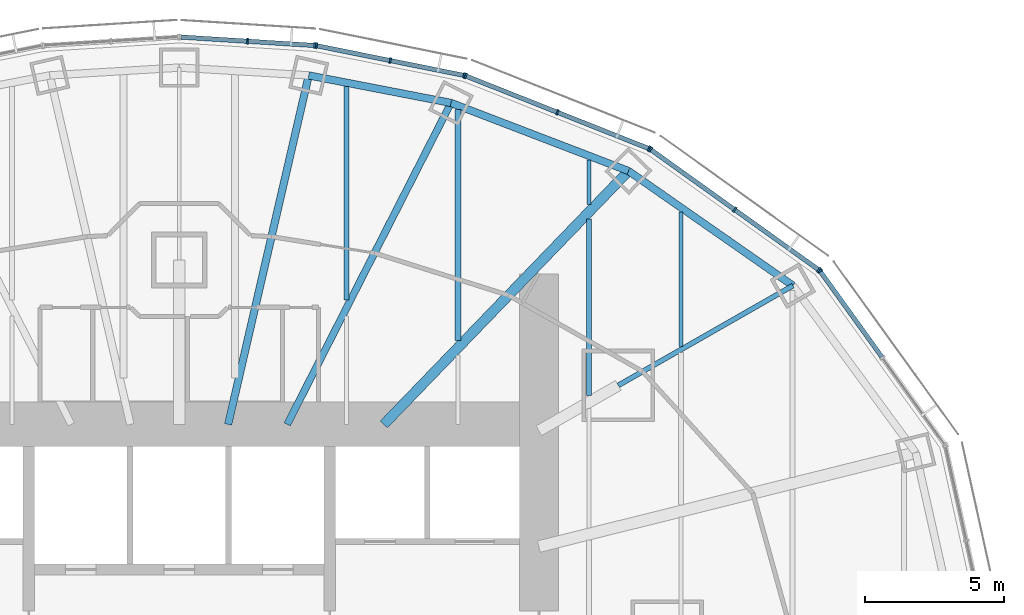
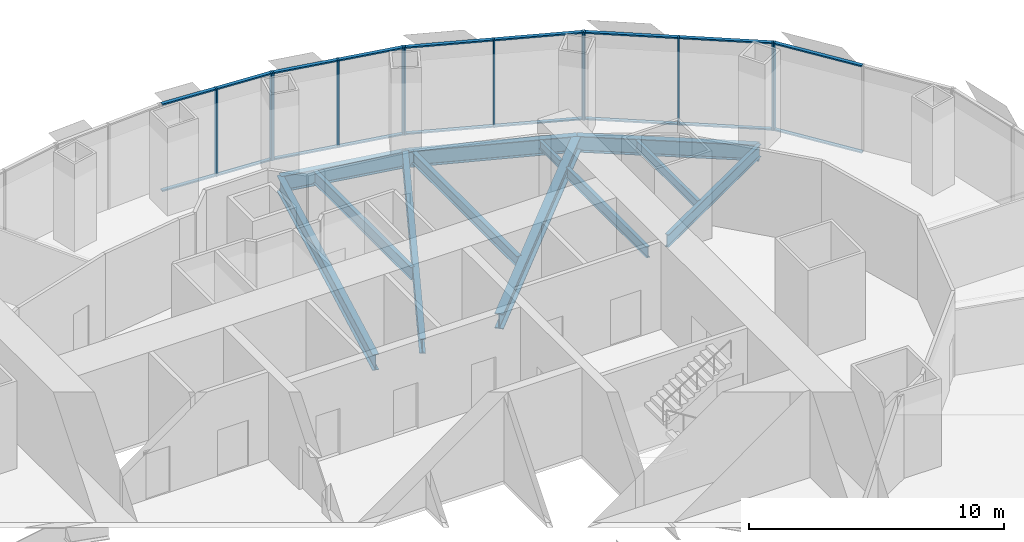
# One storey, part 8 of 17: 30 members, 12 beams, 5 elements without a shape of their own.
"""IFC4 building model written with IfcOpenShell, lengths in metres."""

from ifc_helpers import new_model, si_unit, direction, frame, origin, origin_2d, place, context, subcontext, project, spatial, rectangle, i_section, extrude, material, material_profile, profile_set, type_object, element, aggregate, save


model = new_model("IFC4")

# Units and contexts
model_context = context("Model", 3, precision=1e-05, world=origin(), true_north=direction((0.0, 1.0)))
body_context = subcontext(model_context, "Body", "Model", "MODEL_VIEW")
ifc_project = project(units=[si_unit("LENGTHUNIT", "METRE"), si_unit("AREAUNIT", "SQUARE_METRE"), si_unit("VOLUMEUNIT", "CUBIC_METRE"), si_unit("PLANEANGLEUNIT", "RADIAN"), si_unit("MASSUNIT", "GRAM", prefix="KILO")], contexts=[model_context])

# Site, building, storey
site_placement = place(None, origin())
site = spatial("IfcSite", under=ifc_project, at=site_placement, CompositionType="ELEMENT")
building_placement = place(site_placement, origin())
building = spatial("IfcBuilding", under=site, at=building_placement, Name="Lantaw Convention Tower", CompositionType="ELEMENT")
storey_placement = place(building_placement, frame((0.0, 0.0, 125.800048828125)))
storey = spatial("IfcBuildingStorey", under=building, at=storey_placement, Name="L29", CompositionType="ELEMENT", Elevation=125.800048828125)

# Beams
ifc_material_1 = material(Name="Steel ASTM A992", Category="steel")
ifc_material_profile_1 = material_profile(ifc_material_1, i_section(OverallWidth=0.2666015625, OverallDepth=0.76953125, WebThickness=0.015625, FlangeThickness=0.025390625, FilletRadius=0.0126953125, at=origin_2d()), Name="W30X132")
ifc_profile_set_1 = profile_set([ifc_material_profile_1], Name="Steel ASTM A992")
beam_type_1 = type_object("IfcBeamType", Name="Beam E W30X132", PredefinedType="SPANDREL", material=ifc_profile_set_1)
beam_1_placement = place(storey_placement, frame((22.013916015625, 12.579345703125, -0.534912109375), z_axis=(-0.820310765287, 0.57191804339, 0.0), x_axis=(-0.57191804339, -0.820310765287, 0.0)))
element("IfcBeam", 1, at=beam_1_placement, inside=storey, type_object=beam_type_1, Name="Edge beam 3", PredefinedType="SPANDREL", context=body_context, shape_type="SweptSolid", body=[
    extrude(i_section(OverallWidth=0.2666015625, OverallDepth=0.76953125, WebThickness=0.015625, FlangeThickness=0.025390625, FilletRadius=0.0126953125, at=origin_2d()), origin(), (0.0, 0.0, 1.0), 7.187744140625),
])
beam_2_placement = place(storey_placement, frame((16.11767578125, 16.690185546875, -0.534912109375), z_axis=(-0.933691081977, 0.358079549033, 0.0), x_axis=(-0.358079549033, -0.933691081977, 0.0)))
element("IfcBeam", 2, at=beam_2_placement, inside=storey, type_object=beam_type_1, Name="Edge beam 4", PredefinedType="SPANDREL", context=body_context, shape_type="SweptSolid", body=[
    extrude(i_section(OverallWidth=0.2666015625, OverallDepth=0.76953125, WebThickness=0.015625, FlangeThickness=0.025390625, FilletRadius=0.0126953125, at=origin_2d()), origin(), (0.0, 0.0, 1.0), 6.821533203125),
])
beam_3_placement = place(storey_placement, frame((9.74853515625, 19.1328125, -0.534912109375), z_axis=(-0.981796805654, 0.189934284446, 0.0), x_axis=(-0.189934284446, -0.981796805654, 0.0)))
element("IfcBeam", 3, at=beam_3_placement, inside=storey, type_object=beam_type_1, Name="Edge beam 5", PredefinedType="SPANDREL", context=body_context, shape_type="SweptSolid", body=[
    extrude(i_section(OverallWidth=0.2666015625, OverallDepth=0.76953125, WebThickness=0.015625, FlangeThickness=0.025390625, FilletRadius=0.0126953125, at=origin_2d()), origin(), (0.0, 0.0, 1.0), 5.1982421875),
])
ifc_material_profile_2 = material_profile(ifc_material_1, i_section(OverallWidth=0.177978515625, OverallDepth=0.599365234375, WebThickness=0.010009765625, FlangeThickness=0.012939453125, FilletRadius=0.012939453125, at=origin_2d()), Name="W24X55")
ifc_profile_set_2 = profile_set([ifc_material_profile_2], Name="Steel ASTM A992")
beam_type_2 = type_object("IfcBeamType", Name="Beam G W24X55", PredefinedType="BEAM", material=ifc_profile_set_2)
beam_4_placement = place(storey_placement, frame((15.75, 9.0, -0.44970703125), z_axis=(0.868245224608, 0.496135293993, 0.0), x_axis=(-0.496135293993, 0.868245224608, 0.0)))
element("IfcBeam", 4, at=beam_4_placement, inside=storey, type_object=beam_type_2, Name="Floor girder on ray 3", PredefinedType="BEAM", context=body_context, shape_type="SweptSolid", body=[
    extrude(i_section(OverallWidth=0.177978515625, OverallDepth=0.599365234375, WebThickness=0.010009765625, FlangeThickness=0.012939453125, FilletRadius=0.012939453125, at=origin_2d()), origin(), (0.0, 0.0, 1.0), 7.21435546875),
])
ifc_material_profile_3 = material_profile(ifc_material_1, i_section(OverallWidth=0.25390625, OverallDepth=0.700927734375, WebThickness=0.015380859375, FlangeThickness=0.02783203125, FilletRadius=0.01513671875, at=origin_2d()), Name="W27X129")
ifc_profile_set_3 = profile_set([ifc_material_profile_3], Name="Steel ASTM A992")
beam_type_3 = type_object("IfcBeamType", Name="Beam G W27X129", PredefinedType="BEAM", material=ifc_profile_set_3)
beam_5_placement = place(storey_placement, frame((3.872314453125, 7.60009765625, -0.50048828125), z_axis=(0.453991051051, 0.891006243281, 0.0), x_axis=(-0.891006243281, 0.453991051051, 0.0)))
element("IfcBeam", 5, at=beam_5_placement, inside=storey, type_object=beam_type_3, Name="Floor girder on ray 5", PredefinedType="BEAM", context=body_context, shape_type="SweptSolid", body=[
    extrude(i_section(OverallWidth=0.25390625, OverallDepth=0.700927734375, WebThickness=0.015380859375, FlangeThickness=0.02783203125, FilletRadius=0.01513671875, at=origin_2d()), origin(), (0.0, 0.0, 1.0), 12.943359375),
])
ifc_material_profile_4 = material_profile(ifc_material_1, i_section(OverallWidth=0.360595703125, OverallDepth=0.72900390625, WebThickness=0.023193359375, FlangeThickness=0.041015625, FilletRadius=0.0126953125, at=origin_2d()), Name="W27X235")
ifc_profile_set_4 = profile_set([ifc_material_profile_4], Name="Steel ASTM A992")
beam_type_4 = type_object("IfcBeamType", Name="Beam G W27X235", PredefinedType="BEAM", material=ifc_profile_set_4)
beam_6_placement = place(storey_placement, frame((7.33935546875, 7.60009765625, -0.5146484375), z_axis=(0.694663467407, 0.719334878239, 0.0), x_axis=(-0.719334878239, 0.694663467407, 0.0)))
element("IfcBeam", 6, at=beam_6_placement, inside=storey, type_object=beam_type_4, Name="Floor girder on ray 4", PredefinedType="BEAM", context=body_context, shape_type="SweptSolid", body=[
    extrude(i_section(OverallWidth=0.360595703125, OverallDepth=0.72900390625, WebThickness=0.023193359375, FlangeThickness=0.041015625, FilletRadius=0.0126953125, at=origin_2d()), origin(), (0.0, 0.0, 1.0), 12.63671875),
])
ifc_material_profile_5 = material_profile(ifc_material_1, i_section(OverallWidth=0.2666015625, OverallDepth=0.7568359375, WebThickness=0.013916015625, FlangeThickness=0.019287109375, FilletRadius=0.0126953125, at=origin_2d()), Name="W30X108")
ifc_profile_set_5 = profile_set([ifc_material_profile_5], Name="Steel ASTM A992")
beam_type_5 = type_object("IfcBeamType", Name="Beam G W30X108", PredefinedType="BEAM", material=ifc_profile_set_5)
beam_7_placement = place(storey_placement, frame((1.754638671875, 7.60009765625, -0.528564453125), z_axis=(0.224944153104, 0.974371658036, 0.0), x_axis=(-0.974371658036, 0.224944153104, 0.0)))
element("IfcBeam", 7, at=beam_7_placement, inside=storey, type_object=beam_type_5, Name="Floor girder on ray 6", PredefinedType="BEAM", context=body_context, shape_type="SweptSolid", body=[
    extrude(i_section(OverallWidth=0.2666015625, OverallDepth=0.7568359375, WebThickness=0.013916015625, FlangeThickness=0.019287109375, FilletRadius=0.0126953125, at=origin_2d()), origin(), (0.0, 0.0, 1.0), 12.849365234375),
])
ifc_material_profile_6 = material_profile(ifc_material_1, i_section(OverallWidth=0.140380859375, OverallDepth=0.40380859375, WebThickness=0.007080078125, FlangeThickness=0.01123046875, FilletRadius=0.01025390625, at=origin_2d()), Name="W16X31")
ifc_profile_set_6 = profile_set([ifc_material_profile_6], Name="Steel ASTM A992")
beam_type_6 = type_object("IfcBeamType", Name="Beam J W16X31", PredefinedType="JOIST", material=ifc_profile_set_6)
beam_8_placement = place(storey_placement, frame((14.699951171875, 15.48193359375, -0.35205078125), z_axis=(0.0, 1.0, 0.0), x_axis=(-1.0, 0.0, 0.0)))
element("IfcBeam", 8, at=beam_8_placement, inside=storey, type_object=beam_type_6, Name="Floor joist", PredefinedType="JOIST", context=body_context, shape_type="SweptSolid", body=[
    extrude(i_section(OverallWidth=0.140380859375, OverallDepth=0.40380859375, WebThickness=0.007080078125, FlangeThickness=0.01123046875, FilletRadius=0.01025390625, at=origin_2d()), origin(), (0.0, 0.0, 1.0), 1.609130859375),
])
ifc_material_profile_7 = material_profile(ifc_material_1, i_section(OverallWidth=0.15234375, OverallDepth=0.449462890625, WebThickness=0.007568359375, FlangeThickness=0.0107421875, FilletRadius=0.01025390625, at=origin_2d()), Name="W18X35")
ifc_profile_set_7 = profile_set([ifc_material_profile_7], Name="Steel ASTM A992")
beam_type_7 = type_object("IfcBeamType", Name="Beam J W18X35", PredefinedType="JOIST", material=ifc_profile_set_7)
beam_9_placement = place(storey_placement, frame((18.0, 10.38818359375, -0.374755859375), z_axis=(0.0, 1.0, 0.0), x_axis=(-1.0, 0.0, 0.0)))
element("IfcBeam", 9, at=beam_9_placement, inside=storey, type_object=beam_type_7, Name="Floor joist", PredefinedType="JOIST", context=body_context, shape_type="SweptSolid", body=[
    extrude(i_section(OverallWidth=0.15234375, OverallDepth=0.449462890625, WebThickness=0.007568359375, FlangeThickness=0.0107421875, FilletRadius=0.01025390625, at=origin_2d()), origin(), (0.0, 0.0, 1.0), 4.8271484375),
])
ifc_material_profile_8 = material_profile(ifc_material_1, i_section(OverallWidth=0.1650390625, OverallDepth=0.52587890625, WebThickness=0.0087890625, FlangeThickness=0.011474609375, FilletRadius=0.0126953125, at=origin_2d()), Name="W21X44")
ifc_profile_set_8 = profile_set([ifc_material_profile_8], Name="Steel ASTM A992")
beam_type_8 = type_object("IfcBeamType", Name="Beam J W21X44", PredefinedType="JOIST", material=ifc_profile_set_8)
beam_10_placement = place(storey_placement, frame((14.699951171875, 8.632568359375, -0.412841796875), z_axis=(0.0, 1.0, 0.0), x_axis=(-1.0, 0.0, 0.0)))
element("IfcBeam", 10, at=beam_10_placement, inside=storey, type_object=beam_type_8, Name="Floor joist", PredefinedType="JOIST", context=body_context, shape_type="SweptSolid", body=[
    extrude(i_section(OverallWidth=0.1650390625, OverallDepth=0.52587890625, WebThickness=0.0087890625, FlangeThickness=0.011474609375, FilletRadius=0.0126953125, at=origin_2d()), origin(), (0.0, 0.0, 1.0), 6.330078125),
])
ifc_material_profile_9 = material_profile(ifc_material_1, i_section(OverallWidth=0.2099609375, OverallDepth=0.535888671875, WebThickness=0.010986328125, FlangeThickness=0.017333984375, FilletRadius=0.012939453125, at=origin_2d()), Name="W21X68")
ifc_profile_set_9 = profile_set([ifc_material_profile_9], Name="Steel ASTM A992")
beam_type_9 = type_object("IfcBeamType", Name="Beam J W21X68", PredefinedType="JOIST", material=ifc_profile_set_9)
beam_11_placement = place(storey_placement, frame((10.0, 10.614990234375, -0.41796875), z_axis=(0.0, 1.0, 0.0), x_axis=(-1.0, 0.0, 0.0)))
element("IfcBeam", 11, at=beam_11_placement, inside=storey, type_object=beam_type_9, Name="Floor joist", PredefinedType="JOIST", context=body_context, shape_type="SweptSolid", body=[
    extrude(i_section(OverallWidth=0.2099609375, OverallDepth=0.535888671875, WebThickness=0.010986328125, FlangeThickness=0.017333984375, FilletRadius=0.012939453125, at=origin_2d()), origin(), (0.0, 0.0, 1.0), 8.278564453125),
])
ifc_material_profile_10 = material_profile(ifc_material_1, i_section(OverallWidth=0.177978515625, OverallDepth=0.599365234375, WebThickness=0.010009765625, FlangeThickness=0.012939453125, FilletRadius=0.012939453125, at=origin_2d()), Name="W24X55")
ifc_profile_set_10 = profile_set([ifc_material_profile_10], Name="Steel ASTM A992")
beam_type_10 = type_object("IfcBeamType", Name="Beam J W24X55", PredefinedType="JOIST", material=ifc_profile_set_10)
beam_12_placement = place(storey_placement, frame((6.0, 12.055419921875, -0.44970703125), z_axis=(0.0, 1.0, 0.0), x_axis=(-1.0, 0.0, 0.0)))
element("IfcBeam", 12, at=beam_12_placement, inside=storey, type_object=beam_type_10, Name="Floor joist", PredefinedType="JOIST", context=body_context, shape_type="SweptSolid", body=[
    extrude(i_section(OverallWidth=0.177978515625, OverallDepth=0.599365234375, WebThickness=0.010009765625, FlangeThickness=0.012939453125, FilletRadius=0.012939453125, at=origin_2d()), origin(), (0.0, 0.0, 1.0), 7.666748046875),
])

# Curtain wall, member
ifc_material_2 = material(Name="Aluminium framed curtain wall", Category="aluminium")
curtain_wall_type = type_object("IfcCurtainWallType", Name="Office curtain wall low rise, pale aluminium", PredefinedType="USERDEFINED", material=ifc_material_2)
curtain_wall_1_placement = place(storey_placement, origin())
curtain_wall_1 = element("IfcCurtainWall", 13, at=curtain_wall_1_placement, inside=storey, type_object=curtain_wall_type, Name="Office curtain wall low rise, pale aluminium L29", ObjectType="UNITISED CURTAIN WALL", PredefinedType="USERDEFINED")
ifc_material_3 = material(Name="Aluminium 6063-T6", Category="aluminium")
ifc_material_profile_11 = material_profile(ifc_material_3, rectangle(XDim=0.199951171875, YDim=0.06494140625, at=origin_2d()), Name="CW-O1 mullion 65x200")
ifc_profile_set_11 = profile_set([ifc_material_profile_11], Name="Aluminium 6063-T6")
member_type_1 = type_object("IfcMemberType", Name="CW-O1 mullion 65x200", PredefinedType="MULLION", material=ifc_profile_set_11)
member_1_placement = place(storey_placement, frame((22.988037109375, 13.098876953125, -0.150146484375), z_axis=(0.0, 0.0, 1.0), x_axis=(-0.811384633629, -0.584512597221, 0.0)))
member_1 = element("IfcMember", 14, at=member_1_placement, type_object=member_type_1, Name="CW-O1 mullion 3", PredefinedType="MULLION", context=body_context, shape_type="SweptSolid", body=[
    extrude(rectangle(XDim=0.199951171875, YDim=0.06494140625, at=origin_2d()), origin(), (0.0, 0.0, 1.0), 4.2001953125),
])

# Curtain wall, members
curtain_wall_2_placement = place(storey_placement, origin())
curtain_wall_2 = element("IfcCurtainWall", 15, at=curtain_wall_2_placement, inside=storey, type_object=curtain_wall_type, Name="Office curtain wall low rise, pale aluminium L29", ObjectType="UNITISED CURTAIN WALL", PredefinedType="USERDEFINED")
member_2_placement = place(storey_placement, frame((22.942626953125, 13.14404296875, -0.150146484375), z_axis=(0.0, 0.0, 1.0), x_axis=(-0.581972695693, -0.813208325995, 0.0)))
member_2 = element("IfcMember", 16, at=member_2_placement, type_object=member_type_1, Name="CW-O1 mullion 1", PredefinedType="MULLION", context=body_context, shape_type="SweptSolid", body=[
    extrude(rectangle(XDim=0.199951171875, YDim=0.06494140625, at=origin_2d()), origin(), (0.0, 0.0, 1.0), 4.2001953125),
])
member_3_placement = place(storey_placement, frame((19.92529296875, 15.303466796875, -0.150146484375), z_axis=(0.0, 0.0, 1.0), x_axis=(-0.581972695693, -0.813208325995, 0.0)))
member_3 = element("IfcMember", 17, at=member_3_placement, type_object=member_type_1, Name="CW-O1 mullion 2", PredefinedType="MULLION", context=body_context, shape_type="SweptSolid", body=[
    extrude(rectangle(XDim=0.199951171875, YDim=0.06494140625, at=origin_2d()), origin(), (0.0, 0.0, 1.0), 4.2001953125),
])
member_4_placement = place(storey_placement, frame((16.908203125, 17.462646484375, -0.150146484375), z_axis=(0.0, 0.0, 1.0), x_axis=(-0.581972695693, -0.813208325995, 0.0)))
member_4 = element("IfcMember", 18, at=member_4_placement, type_object=member_type_1, Name="CW-O1 mullion 3", PredefinedType="MULLION", context=body_context, shape_type="SweptSolid", body=[
    extrude(rectangle(XDim=0.199951171875, YDim=0.06494140625, at=origin_2d()), origin(), (0.0, 0.0, 1.0), 4.2001953125),
])

curtain_wall_3_placement = place(storey_placement, origin())
curtain_wall_3 = element("IfcCurtainWall", 19, at=curtain_wall_3_placement, inside=storey, type_object=curtain_wall_type, Name="Office curtain wall low rise, pale aluminium L29", ObjectType="UNITISED CURTAIN WALL", PredefinedType="USERDEFINED")
member_5_placement = place(storey_placement, frame((16.8515625, 17.49365234375, -0.150146484375), z_axis=(0.0, 0.0, 1.0), x_axis=(-0.368701907483, -0.929547687544, 0.0)))
member_5 = element("IfcMember", 20, at=member_5_placement, type_object=member_type_1, Name="CW-O1 mullion 1", PredefinedType="MULLION", context=body_context, shape_type="SweptSolid", body=[
    extrude(rectangle(XDim=0.199951171875, YDim=0.06494140625, at=origin_2d()), origin(), (0.0, 0.0, 1.0), 4.2001953125),
])
member_6_placement = place(storey_placement, frame((13.56494140625, 18.797119140625, -0.150146484375), z_axis=(0.0, 0.0, 1.0), x_axis=(-0.368701907483, -0.929547687544, 0.0)))
member_6 = element("IfcMember", 21, at=member_6_placement, type_object=member_type_1, Name="CW-O1 mullion 2", PredefinedType="MULLION", context=body_context, shape_type="SweptSolid", body=[
    extrude(rectangle(XDim=0.199951171875, YDim=0.06494140625, at=origin_2d()), origin(), (0.0, 0.0, 1.0), 4.2001953125),
])
member_7_placement = place(storey_placement, frame((10.2783203125, 20.100830078125, -0.150146484375), z_axis=(0.0, 0.0, 1.0), x_axis=(-0.368701907483, -0.929547687544, 0.0)))
member_7 = element("IfcMember", 22, at=member_7_placement, type_object=member_type_1, Name="CW-O1 mullion 3", PredefinedType="MULLION", context=body_context, shape_type="SweptSolid", body=[
    extrude(rectangle(XDim=0.199951171875, YDim=0.06494140625, at=origin_2d()), origin(), (0.0, 0.0, 1.0), 4.2001953125),
])

curtain_wall_4_placement = place(storey_placement, origin())
curtain_wall_4 = element("IfcCurtainWall", 23, at=curtain_wall_4_placement, inside=storey, type_object=curtain_wall_type, Name="Office curtain wall low rise, pale aluminium L29", ObjectType="UNITISED CURTAIN WALL", PredefinedType="USERDEFINED")
member_8_placement = place(storey_placement, frame((10.216064453125, 20.119140625, -0.150146484375), z_axis=(0.0, 0.0, 1.0), x_axis=(-0.197506809659, -0.980301514912, 0.0)))
member_8 = element("IfcMember", 24, at=member_8_placement, type_object=member_type_1, Name="CW-O1 mullion 1", PredefinedType="MULLION", context=body_context, shape_type="SweptSolid", body=[
    extrude(rectangle(XDim=0.199951171875, YDim=0.06494140625, at=origin_2d()), origin(), (0.0, 0.0, 1.0), 4.2001953125),
])
member_9_placement = place(storey_placement, frame((7.5703125, 20.65234375, -0.150146484375), z_axis=(0.0, 0.0, 1.0), x_axis=(-0.197506809659, -0.980301514912, 0.0)))
member_9 = element("IfcMember", 25, at=member_9_placement, type_object=member_type_1, Name="CW-O1 mullion 2", PredefinedType="MULLION", context=body_context, shape_type="SweptSolid", body=[
    extrude(rectangle(XDim=0.199951171875, YDim=0.06494140625, at=origin_2d()), origin(), (0.0, 0.0, 1.0), 4.2001953125),
])
member_10_placement = place(storey_placement, frame((4.92431640625, 21.185302734375, -0.150146484375), z_axis=(0.0, 0.0, 1.0), x_axis=(-0.197506809659, -0.980301514912, 0.0)))
member_10 = element("IfcMember", 26, at=member_10_placement, type_object=member_type_1, Name="CW-O1 mullion 3", PredefinedType="MULLION", context=body_context, shape_type="SweptSolid", body=[
    extrude(rectangle(XDim=0.199951171875, YDim=0.06494140625, at=origin_2d()), origin(), (0.0, 0.0, 1.0), 4.2001953125),
])

curtain_wall_5_placement = place(storey_placement, origin())
curtain_wall_5 = element("IfcCurtainWall", 27, at=curtain_wall_5_placement, inside=storey, type_object=curtain_wall_type, Name="Office curtain wall low rise, pale aluminium L29", ObjectType="UNITISED CURTAIN WALL", PredefinedType="USERDEFINED")
member_11_placement = place(storey_placement, frame((4.860107421875, 21.19384765625, -0.150146484375), z_axis=(0.0, 0.0, 1.0), x_axis=(-0.062865059466, -0.998022035978, 0.0)))
member_11 = element("IfcMember", 28, at=member_11_placement, type_object=member_type_1, Name="CW-O1 mullion 1", PredefinedType="MULLION", context=body_context, shape_type="SweptSolid", body=[
    extrude(rectangle(XDim=0.199951171875, YDim=0.06494140625, at=origin_2d()), origin(), (0.0, 0.0, 1.0), 4.2001953125),
])
member_12_placement = place(storey_placement, frame((2.4462890625, 21.345947265625, -0.150146484375), z_axis=(0.0, 0.0, 1.0), x_axis=(-0.062865059466, -0.998022035978, 0.0)))
member_12 = element("IfcMember", 29, at=member_12_placement, type_object=member_type_1, Name="CW-O1 mullion 2", PredefinedType="MULLION", context=body_context, shape_type="SweptSolid", body=[
    extrude(rectangle(XDim=0.199951171875, YDim=0.06494140625, at=origin_2d()), origin(), (0.0, 0.0, 1.0), 4.2001953125),
])

# Member
ifc_material_profile_12 = material_profile(ifc_material_3, rectangle(XDim=0.159912109375, YDim=0.06494140625, at=origin_2d()), Name="CW-O1 transom 65x160")
ifc_profile_set_12 = profile_set([ifc_material_profile_12], Name="Aluminium 6063-T6")
member_type_2 = type_object("IfcMemberType", Name="CW-O1 transom 65x160", PredefinedType="USERDEFINED", material=ifc_profile_set_12)
member_13_placement = place(storey_placement, frame((25.209228515625, 10.015625, -0.117431640625), z_axis=(-0.584512973979, 0.811384362217, 0.0), x_axis=(-0.811384362217, -0.584512973979, 0.0)))
member_13 = element("IfcMember", 30, at=member_13_placement, type_object=member_type_2, Name="CW-O1 transom 2.1", ObjectType="TRANSOM", PredefinedType="USERDEFINED", context=body_context, shape_type="SweptSolid", body=[
    extrude(rectangle(XDim=0.159912109375, YDim=0.06494140625, at=origin_2d()), origin(), (0.0, 0.0, 1.0), 3.767578125),
])

member_14_placement = place(storey_placement, frame((25.209228515625, 10.015625, 4.017333984375), z_axis=(-0.584512973979, 0.811384362217, 0.0), x_axis=(-0.811384362217, -0.584512973979, 0.0)))
member_14 = element("IfcMember", 31, at=member_14_placement, type_object=member_type_2, Name="CW-O1 transom 2.2", ObjectType="TRANSOM", PredefinedType="USERDEFINED", context=body_context, shape_type="SweptSolid", body=[
    extrude(rectangle(XDim=0.159912109375, YDim=0.06494140625, at=origin_2d()), origin(), (0.0, 0.0, 1.0), 3.767578125),
])

aggregate(curtain_wall_1, [member_1, member_13, member_14])

member_15_placement = place(storey_placement, frame((22.916259765625, 13.1630859375, -0.117431640625), z_axis=(-0.813221785972, 0.581953887194, 0.0), x_axis=(-0.581953887194, -0.813221785972, 0.0)))
member_15 = element("IfcMember", 32, at=member_15_placement, type_object=member_type_2, Name="CW-O1 transom 1.1", ObjectType="TRANSOM", PredefinedType="USERDEFINED", context=body_context, shape_type="SweptSolid", body=[
    extrude(rectangle(XDim=0.159912109375, YDim=0.06494140625, at=origin_2d()), origin(), (0.0, 0.0, 1.0), 3.645263671875),
])

member_16_placement = place(storey_placement, frame((22.916259765625, 13.1630859375, 4.017333984375), z_axis=(-0.813221785972, 0.581953887194, 0.0), x_axis=(-0.581953887194, -0.813221785972, 0.0)))
member_16 = element("IfcMember", 33, at=member_16_placement, type_object=member_type_2, Name="CW-O1 transom 1.2", ObjectType="TRANSOM", PredefinedType="USERDEFINED", context=body_context, shape_type="SweptSolid", body=[
    extrude(rectangle(XDim=0.159912109375, YDim=0.06494140625, at=origin_2d()), origin(), (0.0, 0.0, 1.0), 3.645263671875),
])

member_17_placement = place(storey_placement, frame((19.89892578125, 15.322265625, -0.117431640625), z_axis=(-0.813190089133, 0.581998177777, 0.0), x_axis=(-0.581998177777, -0.813190089133, 0.0)))
member_17 = element("IfcMember", 34, at=member_17_placement, type_object=member_type_2, Name="CW-O1 transom 2.1", ObjectType="TRANSOM", PredefinedType="USERDEFINED", context=body_context, shape_type="SweptSolid", body=[
    extrude(rectangle(XDim=0.159912109375, YDim=0.06494140625, at=origin_2d()), origin(), (0.0, 0.0, 1.0), 3.645263671875),
])

member_18_placement = place(storey_placement, frame((19.89892578125, 15.322265625, 4.017333984375), z_axis=(-0.813190089133, 0.581998177777, 0.0), x_axis=(-0.581998177777, -0.813190089133, 0.0)))
member_18 = element("IfcMember", 35, at=member_18_placement, type_object=member_type_2, Name="CW-O1 transom 2.2", ObjectType="TRANSOM", PredefinedType="USERDEFINED", context=body_context, shape_type="SweptSolid", body=[
    extrude(rectangle(XDim=0.159912109375, YDim=0.06494140625, at=origin_2d()), origin(), (0.0, 0.0, 1.0), 3.645263671875),
])

aggregate(curtain_wall_2, [member_2, member_3, member_4, member_15, member_16, member_17, member_18])

member_19_placement = place(storey_placement, frame((16.8212890625, 17.505615234375, -0.117431640625), z_axis=(-0.929564188507, 0.368660303592, 0.0), x_axis=(-0.368660303592, -0.929564188507, 0.0)))
member_19 = element("IfcMember", 36, at=member_19_placement, type_object=member_type_2, Name="CW-O1 transom 1.1", ObjectType="TRANSOM", PredefinedType="USERDEFINED", context=body_context, shape_type="SweptSolid", body=[
    extrude(rectangle(XDim=0.159912109375, YDim=0.06494140625, at=origin_2d()), origin(), (0.0, 0.0, 1.0), 3.470703125),
])

member_20_placement = place(storey_placement, frame((16.8212890625, 17.505615234375, 4.017333984375), z_axis=(-0.929564188507, 0.368660303592, 0.0), x_axis=(-0.368660303592, -0.929564188507, 0.0)))
member_20 = element("IfcMember", 37, at=member_20_placement, type_object=member_type_2, Name="CW-O1 transom 1.2", ObjectType="TRANSOM", PredefinedType="USERDEFINED", context=body_context, shape_type="SweptSolid", body=[
    extrude(rectangle(XDim=0.159912109375, YDim=0.06494140625, at=origin_2d()), origin(), (0.0, 0.0, 1.0), 3.470703125),
])

member_21_placement = place(storey_placement, frame((13.53466796875, 18.80908203125, -0.117431640625), z_axis=(-0.929540081544, 0.368721082668, 0.0), x_axis=(-0.368721082668, -0.929540081544, 0.0)))
member_21 = element("IfcMember", 38, at=member_21_placement, type_object=member_type_2, Name="CW-O1 transom 2.1", ObjectType="TRANSOM", PredefinedType="USERDEFINED", context=body_context, shape_type="SweptSolid", body=[
    extrude(rectangle(XDim=0.159912109375, YDim=0.06494140625, at=origin_2d()), origin(), (0.0, 0.0, 1.0), 3.470947265625),
])

member_22_placement = place(storey_placement, frame((13.53466796875, 18.80908203125, 4.017333984375), z_axis=(-0.929540081544, 0.368721082668, 0.0), x_axis=(-0.368721082668, -0.929540081544, 0.0)))
member_22 = element("IfcMember", 39, at=member_22_placement, type_object=member_type_2, Name="CW-O1 transom 2.2", ObjectType="TRANSOM", PredefinedType="USERDEFINED", context=body_context, shape_type="SweptSolid", body=[
    extrude(rectangle(XDim=0.159912109375, YDim=0.06494140625, at=origin_2d()), origin(), (0.0, 0.0, 1.0), 3.470947265625),
])

aggregate(curtain_wall_3, [member_5, member_6, member_7, member_19, member_20, member_21, member_22])

member_23_placement = place(storey_placement, frame((10.184326171875, 20.125732421875, -0.117431640625), z_axis=(-0.980301643003, 0.197506173891, 0.0), x_axis=(-0.197506173891, -0.980301643003, 0.0)))
member_23 = element("IfcMember", 40, at=member_23_placement, type_object=member_type_2, Name="CW-O1 transom 1.1", ObjectType="TRANSOM", PredefinedType="USERDEFINED", context=body_context, shape_type="SweptSolid", body=[
    extrude(rectangle(XDim=0.159912109375, YDim=0.06494140625, at=origin_2d()), origin(), (0.0, 0.0, 1.0), 2.63427734375),
])

member_24_placement = place(storey_placement, frame((10.184326171875, 20.125732421875, 4.017333984375), z_axis=(-0.980301643003, 0.197506173891, 0.0), x_axis=(-0.197506173891, -0.980301643003, 0.0)))
member_24 = element("IfcMember", 41, at=member_24_placement, type_object=member_type_2, Name="CW-O1 transom 1.2", ObjectType="TRANSOM", PredefinedType="USERDEFINED", context=body_context, shape_type="SweptSolid", body=[
    extrude(rectangle(XDim=0.159912109375, YDim=0.06494140625, at=origin_2d()), origin(), (0.0, 0.0, 1.0), 2.63427734375),
])

member_25_placement = place(storey_placement, frame((7.538330078125, 20.65869140625, -0.117431640625), z_axis=(-0.980298027092, 0.197524120247, 0.0), x_axis=(-0.197524120247, -0.980298027092, 0.0)))
member_25 = element("IfcMember", 42, at=member_25_placement, type_object=member_type_2, Name="CW-O1 transom 2.1", ObjectType="TRANSOM", PredefinedType="USERDEFINED", context=body_context, shape_type="SweptSolid", body=[
    extrude(rectangle(XDim=0.159912109375, YDim=0.06494140625, at=origin_2d()), origin(), (0.0, 0.0, 1.0), 2.634033203125),
])

member_26_placement = place(storey_placement, frame((7.538330078125, 20.65869140625, 4.017333984375), z_axis=(-0.980298027092, 0.197524120247, 0.0), x_axis=(-0.197524120247, -0.980298027092, 0.0)))
member_26 = element("IfcMember", 43, at=member_26_placement, type_object=member_type_2, Name="CW-O1 transom 2.2", ObjectType="TRANSOM", PredefinedType="USERDEFINED", context=body_context, shape_type="SweptSolid", body=[
    extrude(rectangle(XDim=0.159912109375, YDim=0.06494140625, at=origin_2d()), origin(), (0.0, 0.0, 1.0), 2.634033203125),
])

aggregate(curtain_wall_4, [member_8, member_9, member_10, member_23, member_24, member_25, member_26])

member_27_placement = place(storey_placement, frame((4.82763671875, 21.19580078125, -0.117431640625), z_axis=(-0.998022188463, 0.062862638625, 0.0), x_axis=(-0.062862638625, -0.998022188463, 0.0)))
member_27 = element("IfcMember", 44, at=member_27_placement, type_object=member_type_2, Name="CW-O1 transom 1.1", ObjectType="TRANSOM", PredefinedType="USERDEFINED", context=body_context, shape_type="SweptSolid", body=[
    extrude(rectangle(XDim=0.159912109375, YDim=0.06494140625, at=origin_2d()), origin(), (0.0, 0.0, 1.0), 2.353515625),
])

member_28_placement = place(storey_placement, frame((4.82763671875, 21.19580078125, 4.017333984375), z_axis=(-0.998022188463, 0.062862638625, 0.0), x_axis=(-0.062862638625, -0.998022188463, 0.0)))
member_28 = element("IfcMember", 45, at=member_28_placement, type_object=member_type_2, Name="CW-O1 transom 1.2", ObjectType="TRANSOM", PredefinedType="USERDEFINED", context=body_context, shape_type="SweptSolid", body=[
    extrude(rectangle(XDim=0.159912109375, YDim=0.06494140625, at=origin_2d()), origin(), (0.0, 0.0, 1.0), 2.353515625),
])

member_29_placement = place(storey_placement, frame((2.413818359375, 21.347900390625, -0.117431640625), z_axis=(-0.998022188463, 0.062862638625, 0.0), x_axis=(-0.062862638625, -0.998022188463, 0.0)))
member_29 = element("IfcMember", 46, at=member_29_placement, type_object=member_type_2, Name="CW-O1 transom 2.1", ObjectType="TRANSOM", PredefinedType="USERDEFINED", context=body_context, shape_type="SweptSolid", body=[
    extrude(rectangle(XDim=0.159912109375, YDim=0.06494140625, at=origin_2d()), origin(), (0.0, 0.0, 1.0), 2.353515625),
])

member_30_placement = place(storey_placement, frame((2.413818359375, 21.347900390625, 4.017333984375), z_axis=(-0.998022188463, 0.062862638625, 0.0), x_axis=(-0.062862638625, -0.998022188463, 0.0)))
member_30 = element("IfcMember", 47, at=member_30_placement, type_object=member_type_2, Name="CW-O1 transom 2.2", ObjectType="TRANSOM", PredefinedType="USERDEFINED", context=body_context, shape_type="SweptSolid", body=[
    extrude(rectangle(XDim=0.159912109375, YDim=0.06494140625, at=origin_2d()), origin(), (0.0, 0.0, 1.0), 2.353515625),
])

aggregate(curtain_wall_5, [member_11, member_12, member_27, member_28, member_29, member_30])

save(model, "model.ifc")
